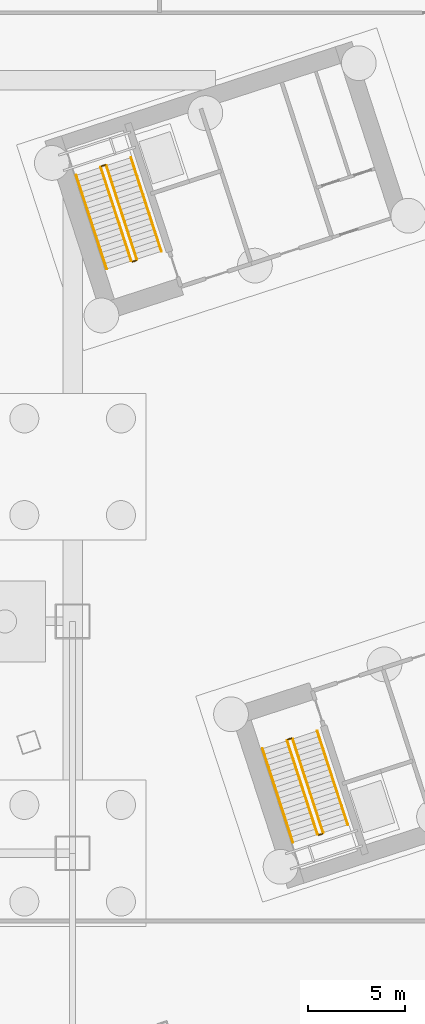
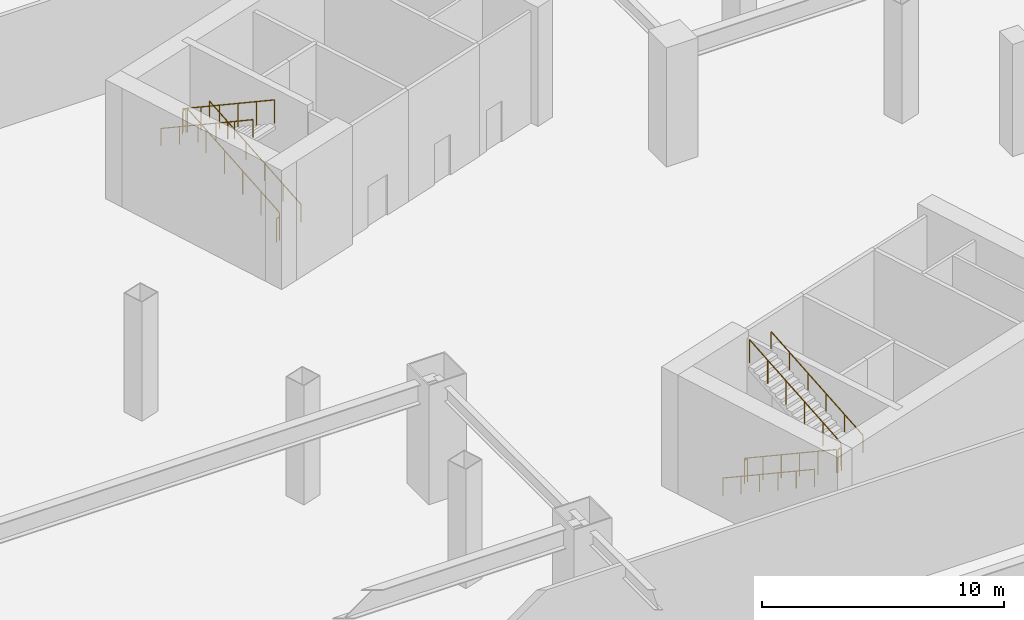
# One storey, part 19 of 20: 12 railings.
"""IFC4 building model written with IfcOpenShell, lengths in metres."""

import ifcopenshell
import ifcopenshell.guid

model = None  # the IFC model being written
_history = None  # IfcOwnerHistory: only IFC2X3 demands one
_inside = {}  # id of a spatial element -> (the spatial element, [elements in it])
_under = {}  # id of a project, library or spatial element -> (it, [spatial elements below it])
_declared = {}  # id of a project -> (the project, [libraries it declares])
_typed = {}  # id of a type object -> (the type object, [elements of that type])
_made_of = {}  # id of a material, layer set ... -> (it, [elements and type objects made of it])


def new_model(schema):
    """Start an empty IFC model of exactly this schema.

    Asked for "IFC4X3", IfcOpenShell would pick the latest addendum, in which some entities
    have other attributes; the version numbers below select the first issue.
    IFC2X3 requires an IfcOwnerHistory on every rooted entity: one is made here for all.
    """
    global model, _history
    if schema == "IFC4X3":
        model = ifcopenshell.file(schema_version=(4, 3, 0, 0))
    else:
        model = ifcopenshell.file(schema=schema)
    _inside.clear()
    _under.clear()
    _declared.clear()
    _typed.clear()
    _made_of.clear()
    _history = None
    if model.schema == "IFC2X3":
        org = make("IfcOrganization", Name="unknown")
        user = make(
            "IfcPersonAndOrganization",
            ThePerson=make("IfcPerson", FamilyName="unknown"),
            TheOrganization=org,
        )
        app = make(
            "IfcApplication",
            ApplicationDeveloper=org,
            Version="unknown",
            ApplicationFullName="unknown",
            ApplicationIdentifier="unknown",
        )
        _history = make(
            "IfcOwnerHistory",
            OwningUser=user,
            OwningApplication=app,
            ChangeAction="ADDED",
            CreationDate=0,
        )
    return model


def make(cls, **values):
    """One entity of the class cls with the attributes given. An attribute that is None is left unset."""
    return model.create_entity(
        cls, **{name: value for name, value in values.items() if value is not None}
    )


def rooted(cls, **values):
    """An entity with a GlobalId (a new one), such as an element, a storey or a relation."""
    return make(cls, GlobalId=ifcopenshell.guid.new(), OwnerHistory=_history, **values)


def si_unit(unit_type, name, prefix=None):
    """IfcSIUnit, for example si_unit("LENGTHUNIT", "METRE", prefix="MILLI")."""
    return make("IfcSIUnit", UnitType=unit_type, Prefix=prefix, Name=name)


def assignment(units):
    """IfcUnitAssignment: the units of a project."""
    return None if units is None else make("IfcUnitAssignment", Units=units)


def point(xyz):
    """IfcCartesianPoint."""
    return None if xyz is None else make("IfcCartesianPoint", Coordinates=xyz)


def direction(xyz):
    """IfcDirection."""
    return None if xyz is None else make("IfcDirection", DirectionRatios=xyz)


def frame(location, z_axis=None, x_axis=None):
    """IfcAxis2Placement3D, a coordinate frame: its origin and axes. An axis left out is left unset."""
    return make(
        "IfcAxis2Placement3D",
        Location=point(location),
        Axis=direction(z_axis),
        RefDirection=direction(x_axis),
    )


def frame_2d(location, x_axis=None):
    """IfcAxis2Placement2D, a coordinate frame in the plane: its origin and x axis."""
    return make(
        "IfcAxis2Placement2D", Location=point(location), RefDirection=direction(x_axis)
    )


def origin():
    """The frame at (0, 0, 0) with its axes left unset."""
    return frame((0.0, 0.0, 0.0))


def origin_2d():
    """The frame at (0, 0) in the plane with its x axis left unset."""
    return frame_2d((0.0, 0.0))


def place(relative_to, where):
    """IfcLocalPlacement: puts the frame where relative to a parent placement (None: the world)."""
    return make(
        "IfcLocalPlacement", PlacementRelTo=relative_to, RelativePlacement=where
    )


def context(
    kind, dimensions, precision=None, world=None, true_north=None, identifier=None
):
    """IfcGeometricRepresentationContext, for example the 3D "Model" context."""
    return make(
        "IfcGeometricRepresentationContext",
        ContextIdentifier=identifier,
        ContextType=kind,
        CoordinateSpaceDimension=dimensions,
        Precision=precision,
        WorldCoordinateSystem=world,
        TrueNorth=true_north,
    )


def subcontext(parent, identifier, kind, view, scale=None):
    """IfcGeometricRepresentationSubContext, for example "Body" below "Model"."""
    return make(
        "IfcGeometricRepresentationSubContext",
        ContextIdentifier=identifier,
        ContextType=kind,
        ParentContext=parent,
        TargetScale=scale,
        TargetView=view,
    )


def project(units=None, contexts=None):
    """IfcProject with its units and contexts."""
    return rooted(
        "IfcProject",
        Name="project",
        RepresentationContexts=contexts,
        UnitsInContext=assignment(units),
    )


def spatial(cls, under=None, at=None, **own):
    """A site, building, storey or space (cls), placed at a placement, below another one or the project."""
    s = rooted(cls, ObjectPlacement=at, **own)
    if under is not None:
        _under.setdefault(under.id(), (under, []))[1].append(s)
    return s


def profile(cls, at=None, kind="AREA", **sizes):
    """A parametric profile (cls). Its sizes go by their IFC names, for example OverallWidth=200.0."""
    return make(cls, ProfileType=kind, Position=at, **sizes)


def circle(**sizes):
    """IfcCircleProfileDef."""
    return profile("IfcCircleProfileDef", **sizes)


def extrude(swept, where, along, depth):
    """IfcExtrudedAreaSolid: the profile swept, set in the frame where, extruded along a direction by depth."""
    return make(
        "IfcExtrudedAreaSolid",
        SweptArea=swept,
        Position=where,
        ExtrudedDirection=direction(along),
        Depth=depth,
    )


def shape(context_of_items, identifier, shape_type, items):
    """IfcShapeRepresentation: the items that make up one representation, for example the "Body"."""
    return make(
        "IfcShapeRepresentation",
        ContextOfItems=context_of_items,
        RepresentationIdentifier=identifier,
        RepresentationType=shape_type,
        Items=items,
    )


def material(Name=None, Category=None):
    """IfcMaterial."""
    return make("IfcMaterial", Name=Name, Category=Category)


def made_of(thing, what):
    """Note that an element or type object is made of a material, layer set ...; save() writes the relation."""
    if what is not None:
        _made_of.setdefault(what.id(), (what, []))[1].append(thing)
    return thing


def type_object(cls, material=None, **own):
    """A type object (cls), such as IfcWallType, which elements share."""
    return made_of(rooted(cls, **own), material)


def element(
    cls,
    number,
    at=None,
    inside=None,
    cuts=None,
    type_object=None,
    material=None,
    context=None,
    identifier="Body",
    shape_type=None,
    held_by="IfcProductDefinitionShape",
    body=None,
    shapes=None,
    **own,
):
    """One element of the class cls, such as IfcWall. Its Tag is "e" and its number.

    at: its placement. inside: the storey or other place that contains it. cuts: it is an
    opening in that element (IfcRelVoidsElement). A single representation is given by context,
    identifier, shape_type and body (its items); several are given by shapes. held_by: the class
    of the entity that holds the representations. save() writes the other relations.
    """
    e = rooted(cls, Tag="e%d" % number, ObjectPlacement=at, **own)
    if body is not None:
        shapes = [shape(context, identifier, shape_type, body)]
    if shapes is not None:
        e.Representation = make(held_by, Representations=shapes)
    if inside is not None:
        _inside.setdefault(inside.id(), (inside, []))[1].append(e)
    if cuts is not None:
        rooted(
            "IfcRelVoidsElement", RelatingBuildingElement=cuts, RelatedOpeningElement=e
        )
    if type_object is not None:
        _typed.setdefault(type_object.id(), (type_object, []))[1].append(e)
    return made_of(e, material)


def aggregate(whole, parts):
    """IfcRelAggregates: a whole, such as a stair, and the parts it consists of."""
    return rooted("IfcRelAggregates", RelatingObject=whole, RelatedObjects=parts)


def save(model, path):
    """Write the relations noted so far, then the file.

    IfcRelAggregates (storeys below a building ...), IfcRelContainedInSpatialStructure (elements
    in a storey), IfcRelDefinesByType, IfcRelAssociatesMaterial and IfcRelDeclares: one each for
    every whole, place, type object, material and project.
    """
    for whole, parts in _under.values():
        aggregate(whole, parts)
    for where, things in _inside.values():
        rooted(
            "IfcRelContainedInSpatialStructure",
            RelatedElements=things,
            RelatingStructure=where,
        )
    for kind, things in _typed.values():
        rooted("IfcRelDefinesByType", RelatedObjects=things, RelatingType=kind)
    for what, things in _made_of.values():
        rooted("IfcRelAssociatesMaterial", RelatedObjects=things, RelatingMaterial=what)
    for by, libraries in _declared.values():
        rooted("IfcRelDeclares", RelatingContext=by, RelatedDefinitions=libraries)
    model.write(path)


model = new_model("IFC4")

# Units and contexts
model_context = context("Model", 3, precision=1e-05, world=origin(), true_north=direction((0.0, 1.0)))
body_context = subcontext(model_context, "Body", "Model", "MODEL_VIEW")
ifc_project = project(units=[si_unit("LENGTHUNIT", "METRE"), si_unit("AREAUNIT", "SQUARE_METRE"), si_unit("VOLUMEUNIT", "CUBIC_METRE"), si_unit("PLANEANGLEUNIT", "RADIAN"), si_unit("MASSUNIT", "GRAM", prefix="KILO")], contexts=[model_context])

# Site, building, storey
site_placement = place(None, origin())
site = spatial("IfcSite", under=ifc_project, at=site_placement, CompositionType="ELEMENT")
building_placement = place(site_placement, origin())
building = spatial("IfcBuilding", under=site, at=building_placement, Name="Qiaolan Cultural Towers", CompositionType="ELEMENT")
storey_placement = place(building_placement, frame((0.0, 0.0, -12.0)))
storey = spatial("IfcBuildingStorey", under=building, at=storey_placement, Name="B2", CompositionType="ELEMENT", Elevation=-12.0)

# Railings
ifc_material_1 = material(Name="Galvanized Painted Steel Stair Guardrail", Category="steel")
railing_type_1 = type_object("IfcRailingType", Name="RL-STAIR-GRD", PredefinedType="GUARDRAIL", material=ifc_material_1)
railing_1_placement = place(storey_placement, frame((88.60205078125, 19.82421875, 0.166748046875)))
element("IfcRailing", 1, at=railing_1_placement, inside=storey, type_object=railing_type_1, Name="B2 ST-E1 stair guard 1", PredefinedType="GUARDRAIL", context=body_context, shape_type="SweptSolid", body=[
    extrude(circle(Radius=0.02392578125, at=origin_2d()), frame((0.0, 0.0, 1.17578125), z_axis=(0.270162499604, -0.831369017911, 0.485631320927), x_axis=(0.951044973649, 0.30905251673, 0.0)), (0.0, 0.0, 1.0), 5.834228515625),
    extrude(circle(Radius=0.02099609375, at=origin_2d()), origin(), (0.0, 0.0, 1.0), 1.15185546875),
    extrude(circle(Radius=0.02099609375, at=origin_2d()), frame((0.315185546875, -0.969970703125, 0.566650390625)), (0.0, 0.0, 1.0), 1.15185546875),
    extrude(circle(Radius=0.02099609375, at=origin_2d()), frame((0.63037109375, -1.940185546875, 1.13330078125)), (0.0, 0.0, 1.0), 1.15185546875),
    extrude(circle(Radius=0.02099609375, at=origin_2d()), frame((0.94580078125, -2.91015625, 1.699951171875)), (0.0, 0.0, 1.0), 1.15185546875),
    extrude(circle(Radius=0.02099609375, at=origin_2d()), frame((1.260986328125, -3.88037109375, 2.2666015625)), (0.0, 0.0, 1.0), 1.15185546875),
    extrude(circle(Radius=0.02099609375, at=origin_2d()), frame((1.576171875, -4.850341796875, 2.833251953125)), (0.0, 0.0, 1.0), 1.15185546875),
])
railing_2_placement = place(storey_placement, frame((90.2412109375, 14.941650390625, 3.0)))
element("IfcRailing", 2, at=railing_2_placement, inside=storey, type_object=railing_type_1, Name="B2 ST-E1 stair guard 2", PredefinedType="GUARDRAIL", context=body_context, shape_type="SweptSolid", body=[
    extrude(circle(Radius=0.02392578125, at=origin_2d()), frame((0.0, 0.0, 1.17578125), z_axis=(0.951096855055, 0.308892816854, 0.0), x_axis=(-0.308892816854, 0.951096855055, 0.0)), (0.0, 0.0, 1.0), 0.199951171875),
    extrude(circle(Radius=0.02099609375, at=origin_2d()), origin(), (0.0, 0.0, 1.0), 1.15185546875),
    extrude(circle(Radius=0.02099609375, at=origin_2d()), frame((0.190185546875, 0.061767578125, 0.0)), (0.0, 0.0, 1.0), 1.15185546875),
])
railing_3_placement = place(storey_placement, frame((90.46337890625, 15.066650390625, 3.166748046875)))
element("IfcRailing", 3, at=railing_3_placement, inside=storey, type_object=railing_type_1, Name="B2 ST-E1 stair guard 3", PredefinedType="GUARDRAIL", context=body_context, shape_type="SweptSolid", body=[
    extrude(circle(Radius=0.02392578125, at=origin_2d()), frame((0.0, 0.0, 1.17578125), z_axis=(-0.270123706514, 0.831378416316, 0.48563681086), x_axis=(-0.951059043131, -0.309009217467, 0.0)), (0.0, 0.0, 1.0), 5.833984375),
    extrude(circle(Radius=0.02099609375, at=origin_2d()), origin(), (0.0, 0.0, 1.0), 1.15185546875),
    extrude(circle(Radius=0.02099609375, at=origin_2d()), frame((-0.315185546875, 0.969970703125, 0.566650390625)), (0.0, 0.0, 1.0), 1.15185546875),
    extrude(circle(Radius=0.02099609375, at=origin_2d()), frame((-0.63037109375, 1.940185546875, 1.13330078125)), (0.0, 0.0, 1.0), 1.15185546875),
    extrude(circle(Radius=0.02099609375, at=origin_2d()), frame((-0.945556640625, 2.91015625, 1.699951171875)), (0.0, 0.0, 1.0), 1.15185546875),
    extrude(circle(Radius=0.02099609375, at=origin_2d()), frame((-1.2607421875, 3.88037109375, 2.2666015625)), (0.0, 0.0, 1.0), 1.15185546875),
    extrude(circle(Radius=0.02099609375, at=origin_2d()), frame((-1.575927734375, 4.850341796875, 2.833251953125)), (0.0, 0.0, 1.0), 1.15185546875),
])
railing_4_placement = place(storey_placement, frame((88.63427734375, 19.88720703125, 0.0)))
element("IfcRailing", 4, at=railing_4_placement, inside=storey, type_object=railing_type_1, Name="B2 ST-E1 stair guard 4", PredefinedType="GUARDRAIL", context=body_context, shape_type="SweptSolid", body=[
    extrude(circle(Radius=0.02392578125, at=origin_2d()), frame((0.0, 0.0, 1.17578125), z_axis=(0.951096855055, 0.308892816854, 0.0), x_axis=(-0.308892816854, 0.951096855055, 0.0)), (0.0, 0.0, 1.0), 0.199951171875),
    extrude(circle(Radius=0.02099609375, at=origin_2d()), origin(), (0.0, 0.0, 1.0), 1.15185546875),
    extrude(circle(Radius=0.02099609375, at=origin_2d()), frame((0.190185546875, 0.061767578125, 0.0)), (0.0, 0.0, 1.0), 1.15185546875),
])
railing_5_placement = place(storey_placement, frame((80.822021484375, 44.739501953125, 0.166748046875)))
element("IfcRailing", 5, at=railing_5_placement, inside=storey, type_object=railing_type_1, Name="B2 ST-E2 stair guard 1", PredefinedType="GUARDRAIL", context=body_context, shape_type="SweptSolid", body=[
    extrude(circle(Radius=0.02392578125, at=origin_2d()), frame((0.0, 0.0, 1.17578125), z_axis=(-0.270123706514, 0.831378416316, 0.48563681086), x_axis=(-0.951059043131, -0.309009217467, 0.0)), (0.0, 0.0, 1.0), 5.833984375),
    extrude(circle(Radius=0.02099609375, at=origin_2d()), origin(), (0.0, 0.0, 1.0), 1.15185546875),
    extrude(circle(Radius=0.02099609375, at=origin_2d()), frame((-0.315185546875, 0.969970703125, 0.566650390625)), (0.0, 0.0, 1.0), 1.15185546875),
    extrude(circle(Radius=0.02099609375, at=origin_2d()), frame((-0.63037109375, 1.940185546875, 1.13330078125)), (0.0, 0.0, 1.0), 1.15185546875),
    extrude(circle(Radius=0.02099609375, at=origin_2d()), frame((-0.945556640625, 2.91015625, 1.699951171875)), (0.0, 0.0, 1.0), 1.15185546875),
    extrude(circle(Radius=0.02099609375, at=origin_2d()), frame((-1.2607421875, 3.88037109375, 2.2666015625)), (0.0, 0.0, 1.0), 1.15185546875),
    extrude(circle(Radius=0.02099609375, at=origin_2d()), frame((-1.575927734375, 4.850341796875, 2.833251953125)), (0.0, 0.0, 1.0), 1.15185546875),
])
railing_6_placement = place(storey_placement, frame((79.18310546875, 49.6220703125, 3.0)))
element("IfcRailing", 6, at=railing_6_placement, inside=storey, type_object=railing_type_1, Name="B2 ST-E2 stair guard 2", PredefinedType="GUARDRAIL", context=body_context, shape_type="SweptSolid", body=[
    extrude(circle(Radius=0.02392578125, at=origin_2d()), frame((0.0, 0.0, 1.17578125), z_axis=(-0.951096855055, -0.308892816854, 0.0), x_axis=(0.308892816854, -0.951096855055, 0.0)), (0.0, 0.0, 1.0), 0.199951171875),
    extrude(circle(Radius=0.02099609375, at=origin_2d()), origin(), (0.0, 0.0, 1.0), 1.15185546875),
    extrude(circle(Radius=0.02099609375, at=origin_2d()), frame((-0.190185546875, -0.061767578125, 0.0)), (0.0, 0.0, 1.0), 1.15185546875),
])
railing_7_placement = place(storey_placement, frame((78.960693359375, 49.4970703125, 3.166748046875)))
element("IfcRailing", 7, at=railing_7_placement, inside=storey, type_object=railing_type_1, Name="B2 ST-E2 stair guard 3", PredefinedType="GUARDRAIL", context=body_context, shape_type="SweptSolid", body=[
    extrude(circle(Radius=0.02392578125, at=origin_2d()), frame((0.0, 0.0, 1.17578125), z_axis=(0.270162499604, -0.831369017911, 0.485631320927), x_axis=(0.951044973649, 0.30905251673, 0.0)), (0.0, 0.0, 1.0), 5.834228515625),
    extrude(circle(Radius=0.02099609375, at=origin_2d()), origin(), (0.0, 0.0, 1.0), 1.15185546875),
    extrude(circle(Radius=0.02099609375, at=origin_2d()), frame((0.315185546875, -0.969970703125, 0.566650390625)), (0.0, 0.0, 1.0), 1.15185546875),
    extrude(circle(Radius=0.02099609375, at=origin_2d()), frame((0.63037109375, -1.940185546875, 1.13330078125)), (0.0, 0.0, 1.0), 1.15185546875),
    extrude(circle(Radius=0.02099609375, at=origin_2d()), frame((0.94580078125, -2.91015625, 1.699951171875)), (0.0, 0.0, 1.0), 1.15185546875),
    extrude(circle(Radius=0.02099609375, at=origin_2d()), frame((1.260986328125, -3.88037109375, 2.2666015625)), (0.0, 0.0, 1.0), 1.15185546875),
    extrude(circle(Radius=0.02099609375, at=origin_2d()), frame((1.576171875, -4.850341796875, 2.833251953125)), (0.0, 0.0, 1.0), 1.15185546875),
])
railing_8_placement = place(storey_placement, frame((80.7900390625, 44.676513671875, 0.0)))
element("IfcRailing", 8, at=railing_8_placement, inside=storey, type_object=railing_type_1, Name="B2 ST-E2 stair guard 4", PredefinedType="GUARDRAIL", context=body_context, shape_type="SweptSolid", body=[
    extrude(circle(Radius=0.02392578125, at=origin_2d()), frame((0.0, 0.0, 1.17578125), z_axis=(-0.951096855055, -0.308892816854, 0.0), x_axis=(0.308892816854, -0.951096855055, 0.0)), (0.0, 0.0, 1.0), 0.199951171875),
    extrude(circle(Radius=0.02099609375, at=origin_2d()), origin(), (0.0, 0.0, 1.0), 1.15185546875),
    extrude(circle(Radius=0.02099609375, at=origin_2d()), frame((-0.190185546875, -0.061767578125, 0.0)), (0.0, 0.0, 1.0), 1.15185546875),
])
ifc_material_2 = material(Name="Stainless Steel S30408 Tubular Handrail", Category="steel")
railing_type_2 = type_object("IfcRailingType", Name="RL-STAIR-HR", PredefinedType="HANDRAIL", material=ifc_material_2)
railing_9_placement = place(storey_placement, frame((87.32763671875, 19.41015625, 0.166748046875)))
element("IfcRailing", 9, at=railing_9_placement, inside=storey, type_object=railing_type_2, Name="B2 ST-E1 stair handrail 1", PredefinedType="HANDRAIL", context=body_context, shape_type="SweptSolid", body=[
    extrude(circle(Radius=0.02392578125, at=origin_2d()), frame((0.0, 0.0, 0.8759765625), z_axis=(0.270162499604, -0.831369017911, 0.485631320927), x_axis=(0.951044973649, 0.30905251673, 0.0)), (0.0, 0.0, 1.0), 5.834228515625),
    extrude(circle(Radius=0.02099609375, at=origin_2d()), origin(), (0.0, 0.0, 1.0), 0.851806640625),
    extrude(circle(Radius=0.02099609375, at=origin_2d()), frame((0.315185546875, -0.969970703125, 0.566650390625)), (0.0, 0.0, 1.0), 0.851806640625),
    extrude(circle(Radius=0.02099609375, at=origin_2d()), frame((0.63037109375, -1.940185546875, 1.13330078125)), (0.0, 0.0, 1.0), 0.851806640625),
    extrude(circle(Radius=0.02099609375, at=origin_2d()), frame((0.94580078125, -2.91015625, 1.699951171875)), (0.0, 0.0, 1.0), 0.851806640625),
    extrude(circle(Radius=0.02099609375, at=origin_2d()), frame((1.260986328125, -3.88037109375, 2.2666015625)), (0.0, 0.0, 1.0), 0.851806640625),
    extrude(circle(Radius=0.02099609375, at=origin_2d()), frame((1.576171875, -4.850341796875, 2.833251953125)), (0.0, 0.0, 1.0), 0.851806640625),
])
for number, where, name in (
    (10, (91.73779296875, 15.480712890625, 3.166748046875), "B2 ST-E1 stair handrail 2"),
    (11, (82.096435546875, 45.153564453125, 0.166748046875), "B2 ST-E2 stair handrail 1"),
):
    element("IfcRailing", number, at=place(storey_placement, frame(where)), inside=storey, type_object=railing_type_2, Name=name, PredefinedType="HANDRAIL", context=body_context, shape_type="SweptSolid", body=[
        extrude(circle(Radius=0.02392578125, at=origin_2d()), frame((0.0, 0.0, 0.8759765625), z_axis=(-0.270123706514, 0.831378416316, 0.48563681086), x_axis=(-0.951059043131, -0.309009217467, 0.0)), (0.0, 0.0, 1.0), 5.833984375),
        extrude(circle(Radius=0.02099609375, at=origin_2d()), origin(), (0.0, 0.0, 1.0), 0.851806640625),
        extrude(circle(Radius=0.02099609375, at=origin_2d()), frame((-0.315185546875, 0.969970703125, 0.566650390625)), (0.0, 0.0, 1.0), 0.851806640625),
        extrude(circle(Radius=0.02099609375, at=origin_2d()), frame((-0.63037109375, 1.940185546875, 1.13330078125)), (0.0, 0.0, 1.0), 0.851806640625),
        extrude(circle(Radius=0.02099609375, at=origin_2d()), frame((-0.945556640625, 2.91015625, 1.699951171875)), (0.0, 0.0, 1.0), 0.851806640625),
        extrude(circle(Radius=0.02099609375, at=origin_2d()), frame((-1.2607421875, 3.88037109375, 2.2666015625)), (0.0, 0.0, 1.0), 0.851806640625),
        extrude(circle(Radius=0.02099609375, at=origin_2d()), frame((-1.575927734375, 4.850341796875, 2.833251953125)), (0.0, 0.0, 1.0), 0.851806640625),
    ])
railing_10_placement = place(storey_placement, frame((77.686279296875, 49.0830078125, 3.166748046875)))
element("IfcRailing", 12, at=railing_10_placement, inside=storey, type_object=railing_type_2, Name="B2 ST-E2 stair handrail 2", PredefinedType="HANDRAIL", context=body_context, shape_type="SweptSolid", body=[
    extrude(circle(Radius=0.02392578125, at=origin_2d()), frame((0.0, 0.0, 0.8759765625), z_axis=(0.270162499604, -0.831369017911, 0.485631320927), x_axis=(0.951044973649, 0.30905251673, 0.0)), (0.0, 0.0, 1.0), 5.834228515625),
    extrude(circle(Radius=0.02099609375, at=origin_2d()), origin(), (0.0, 0.0, 1.0), 0.851806640625),
    extrude(circle(Radius=0.02099609375, at=origin_2d()), frame((0.315185546875, -0.969970703125, 0.566650390625)), (0.0, 0.0, 1.0), 0.851806640625),
    extrude(circle(Radius=0.02099609375, at=origin_2d()), frame((0.63037109375, -1.940185546875, 1.13330078125)), (0.0, 0.0, 1.0), 0.851806640625),
    extrude(circle(Radius=0.02099609375, at=origin_2d()), frame((0.94580078125, -2.91015625, 1.699951171875)), (0.0, 0.0, 1.0), 0.851806640625),
    extrude(circle(Radius=0.02099609375, at=origin_2d()), frame((1.260986328125, -3.88037109375, 2.2666015625)), (0.0, 0.0, 1.0), 0.851806640625),
    extrude(circle(Radius=0.02099609375, at=origin_2d()), frame((1.576171875, -4.850341796875, 2.833251953125)), (0.0, 0.0, 1.0), 0.851806640625),
])

save(model, "model.ifc")
